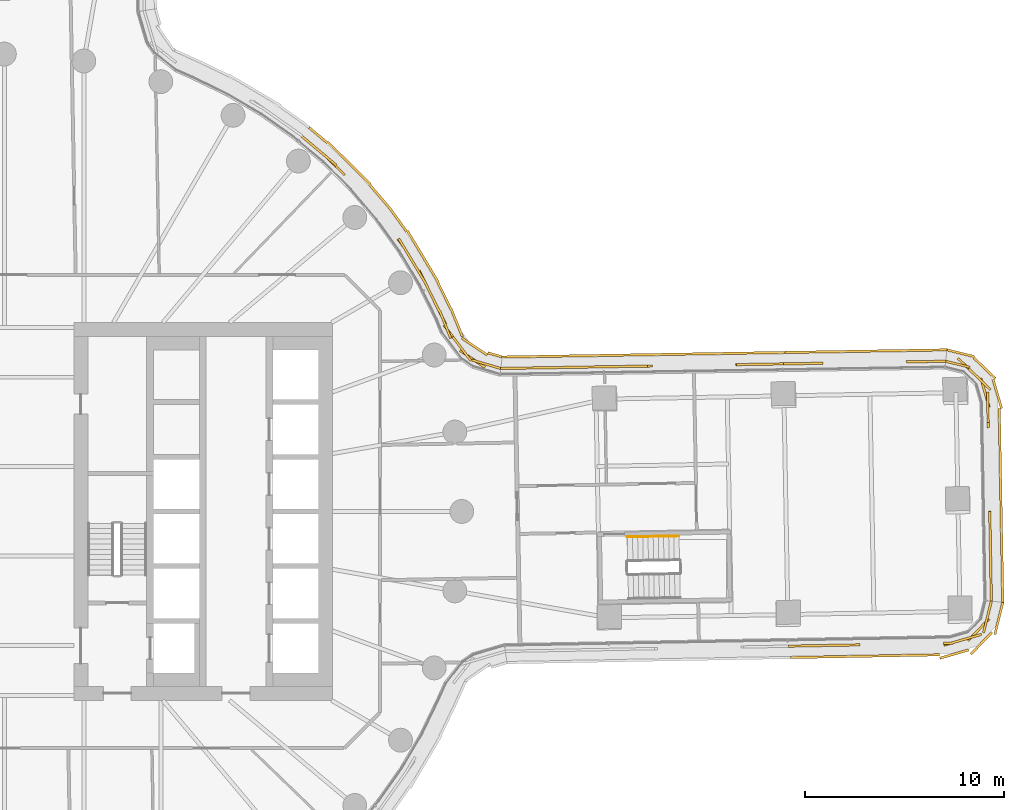
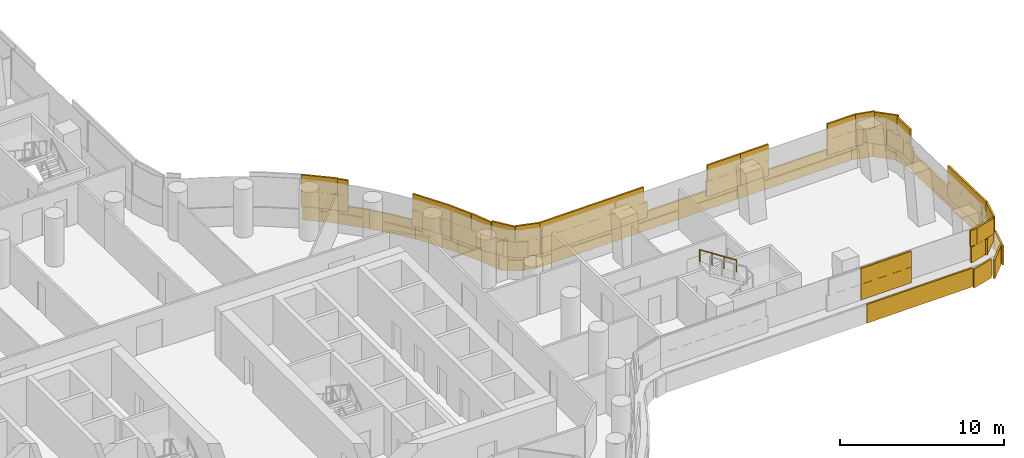
# One storey, part 29 of 31: 5 coverings, 1 railing.
"""IFC4 building model written with IfcOpenShell, lengths in metres."""

from ifc_helpers import new_model, si_unit, direction, frame, origin, origin_2d, place, context, subcontext, project, spatial, rectangle, circle, extrude, material, layer, layer_set, type_object, element, save


model = new_model("IFC4")

# Units and contexts
model_context = context("Model", 3, precision=1e-05, world=origin(), true_north=direction((0.0, 1.0)))
body_context = subcontext(model_context, "Body", "Model", "MODEL_VIEW")
ifc_project = project(units=[si_unit("LENGTHUNIT", "METRE"), si_unit("AREAUNIT", "SQUARE_METRE"), si_unit("VOLUMEUNIT", "CUBIC_METRE"), si_unit("PLANEANGLEUNIT", "RADIAN"), si_unit("MASSUNIT", "GRAM", prefix="KILO")], contexts=[model_context])

# Site, building, storey
site_placement = place(None, origin())
site = spatial("IfcSite", under=ifc_project, at=site_placement, CompositionType="ELEMENT")
building_placement = place(site_placement, origin())
building = spatial("IfcBuilding", under=site, at=building_placement, Name="Tamarind Cross Interchange Tower", CompositionType="ELEMENT")
storey_placement = place(building_placement, frame((0.0, 0.0, 37.75)))
storey = spatial("IfcBuildingStorey", under=building, at=storey_placement, Name="L07", CompositionType="ELEMENT", Elevation=37.75)

# Railing
ifc_material_1 = material(Name="Stair handrail")
railing_type = type_object("IfcRailingType", Name="Stair handrail", PredefinedType="HANDRAIL", material=ifc_material_1)
railing_placement = place(storey_placement, frame((33.924560546875, -1.232666015625, 2.04541015625)))
element("IfcRailing", 1, at=railing_placement, inside=storey, type_object=railing_type, Name="L07 ST3 stair handrail 2", PredefinedType="HANDRAIL", context=body_context, shape_type="SweptSolid", body=[
    extrude(circle(Radius=0.02392578125, at=origin_2d()), frame((0.0, 0.0, 0.8759765625), z_axis=(-0.836156945264, -0.015312791541, 0.548276464297), x_axis=(0.018310228116, -0.999832353721, 0.0)), (0.0, 0.0, 1.0), 3.10888671875),
    extrude(circle(Radius=0.02099609375, at=origin_2d()), origin(), (0.0, 0.0, 1.0), 0.851806640625),
    extrude(circle(Radius=0.02099609375, at=origin_2d()), frame((-0.866455078125, -0.015869140625, 0.568115234375)), (0.0, 0.0, 1.0), 0.851806640625),
    extrude(circle(Radius=0.02099609375, at=origin_2d()), frame((-1.733154296875, -0.03173828125, 1.136474609375)), (0.0, 0.0, 1.0), 0.851806640625),
    extrude(circle(Radius=0.02099609375, at=origin_2d()), frame((-2.599609375, -0.047607421875, 1.70458984375)), (0.0, 0.0, 1.0), 0.851806640625),
])

# Coverings
ifc_material_2 = material(Name="Terracotta", Category="masonry")
ifc_layer = layer(ifc_material_2, 0.1201171875)
ifc_layer_set = layer_set([ifc_layer], Name="Terracotta")
covering_type = type_object("IfcCoveringType", Name="Terracotta baguette screen unit", PredefinedType="MOLDING", material=ifc_layer_set)
covering_1_placement = place(storey_placement, origin())
element("IfcCovering", 2, at=covering_1_placement, inside=storey, type_object=covering_type, Name="SCR-L07-11-01", PredefinedType="MOLDING", context=body_context, shape_type="SweptSolid", body=[
    extrude(rectangle(XDim=1.506103515625, YDim=0.1201171875, at=origin_2d()), frame((40.186279296875, -6.759521484375, 1.404052734375), z_axis=(0.0, 0.0, 1.0), x_axis=(0.999833743347, 0.018234189439, 0.0)), (0.0, 0.0, 1.0), 1.1669921875),
    extrude(rectangle(XDim=1.52001953125, YDim=0.1201171875, at=origin_2d()), frame((41.68408203125, -6.732177734375, 1.404052734375), z_axis=(0.0, 0.0, 1.0), x_axis=(0.999833743347, 0.018234189439, 0.0)), (0.0, 0.0, 1.0), 1.1669921875),
    extrude(rectangle(XDim=0.603271484375, YDim=0.1201171875, at=origin_2d()), frame((42.73046875, -6.713134765625, 1.404052734375), z_axis=(0.0, 0.0, 1.0), x_axis=(0.999833743347, 0.018234189439, 0.0)), (0.0, 0.0, 1.0), 1.1669921875),
    extrude(rectangle(XDim=1.216796875, YDim=0.1201171875, at=origin_2d()), frame((47.8203125, -6.55810546875, 1.404052734375), z_axis=(0.0, 0.0, 1.0), x_axis=(0.961045879195, 0.276388889215, 0.0)), (0.0, 0.0, 1.0), 1.1669921875),
    extrude(rectangle(XDim=1.52001953125, YDim=0.1201171875, at=origin_2d()), frame((48.981689453125, -5.95263671875, 1.404052734375), z_axis=(0.0, 0.0, 1.0), x_axis=(0.694095700978, 0.719882738982, 0.0)), (0.0, 0.0, 1.0), 1.1669921875),
    extrude(rectangle(XDim=0.892578125, YDim=0.1201171875, at=origin_2d()), frame((49.523193359375, -4.93701171875, 1.404052734375), z_axis=(0.0, 0.0, 1.0), x_axis=(0.241163140214, 0.970484590193, 0.0)), (0.0, 0.0, 1.0), 1.1669921875),
    extrude(rectangle(XDim=0.756103515625, YDim=0.1201171875, at=origin_2d()), frame((39.811279296875, -6.766357421875, 2.5791015625), z_axis=(0.0, 0.0, 1.0), x_axis=(0.999833743347, 0.018234189439, 0.0)), (0.0, 0.0, 1.0), 1.1669921875),
    extrude(rectangle(XDim=1.52001953125, YDim=0.1201171875, at=origin_2d()), frame((40.93408203125, -6.745849609375, 2.5791015625), z_axis=(0.0, 0.0, 1.0), x_axis=(0.999833743347, 0.018234189439, 0.0)), (0.0, 0.0, 1.0), 1.1669921875),
    extrude(rectangle(XDim=1.353271484375, YDim=0.1201171875, at=origin_2d()), frame((42.355712890625, -6.719970703125, 2.5791015625), z_axis=(0.0, 0.0, 1.0), x_axis=(0.999833743347, 0.018234189439, 0.0)), (0.0, 0.0, 1.0), 1.1669921875),
    extrude(rectangle(XDim=0.466796875, YDim=0.1201171875, at=origin_2d()), frame((47.454833984375, -6.626953125, 2.5791015625), z_axis=(0.0, 0.0, 1.0), x_axis=(0.999833743347, 0.018234189439, 0.0)), (0.0, 0.0, 1.0), 1.1669921875),
    extrude(rectangle(XDim=1.52001953125, YDim=0.1201171875, at=origin_2d()), frame((48.400146484375, -6.391357421875, 2.5791015625), z_axis=(0.0, 0.0, 1.0), x_axis=(0.961045879195, 0.276388889215, 0.0)), (0.0, 0.0, 1.0), 1.1669921875),
    extrude(rectangle(XDim=1.52001953125, YDim=0.1201171875, at=origin_2d()), frame((49.416748046875, -5.365478515625, 2.5791015625), z_axis=(0.0, 0.0, 1.0), x_axis=(0.241163140214, 0.970484590193, 0.0)), (0.0, 0.0, 1.0), 1.1669921875),
    extrude(rectangle(XDim=0.142578125, YDim=0.1201171875, at=origin_2d()), frame((49.61376953125, -4.5732421875, 2.5791015625), z_axis=(0.0, 0.0, 1.0), x_axis=(0.241163140214, 0.970484590193, 0.0)), (0.0, 0.0, 1.0), 1.1669921875),
    extrude(rectangle(XDim=1.50732421875, YDim=0.1201171875, at=origin_2d()), frame((40.278564453125, -7.33203125, 0.00390625), z_axis=(0.0, 0.0, 1.0), x_axis=(0.999833743347, 0.018234189439, 0.0)), (0.0, 0.0, 1.0), 1.39208984375),
    extrude(rectangle(XDim=1.52001953125, YDim=0.1201171875, at=origin_2d()), frame((41.77197265625, -7.3046875, 0.00390625), z_axis=(0.0, 0.0, 1.0), x_axis=(0.999833743347, 0.018234189439, 0.0)), (0.0, 0.0, 1.0), 1.39208984375),
    extrude(rectangle(XDim=1.52001953125, YDim=0.1201171875, at=origin_2d()), frame((43.271728515625, -7.27734375, 0.00390625), z_axis=(0.0, 0.0, 1.0), x_axis=(0.999833743347, 0.018234189439, 0.0)), (0.0, 0.0, 1.0), 1.39208984375),
    extrude(rectangle(XDim=1.52001953125, YDim=0.1201171875, at=origin_2d()), frame((44.771484375, -7.25, 0.00390625), z_axis=(0.0, 0.0, 1.0), x_axis=(0.999833743347, 0.018234189439, 0.0)), (0.0, 0.0, 1.0), 1.39208984375),
    extrude(rectangle(XDim=1.52001953125, YDim=0.1201171875, at=origin_2d()), frame((46.271240234375, -7.22265625, 0.00390625), z_axis=(0.0, 0.0, 1.0), x_axis=(0.999833743347, 0.018234189439, 0.0)), (0.0, 0.0, 1.0), 1.39208984375),
    extrude(rectangle(XDim=1.52001953125, YDim=0.1201171875, at=origin_2d()), frame((47.767333984375, -7.170654296875, 0.00390625), z_axis=(0.0, 0.0, 1.0), x_axis=(0.961045879195, 0.276388889215, 0.0)), (0.0, 0.0, 1.0), 1.39208984375),
    extrude(rectangle(XDim=1.52001953125, YDim=0.1201171875, at=origin_2d()), frame((49.130126953125, -6.62548828125, 0.00390625), z_axis=(0.0, 0.0, 1.0), x_axis=(0.694095700978, 0.719882738982, 0.0)), (0.0, 0.0, 1.0), 1.39208984375),
    extrude(rectangle(XDim=1.52001953125, YDim=0.1201171875, at=origin_2d()), frame((49.988525390625, -5.444580078125, 0.00390625), z_axis=(0.0, 0.0, 1.0), x_axis=(0.241163140214, 0.970484590193, 0.0)), (0.0, 0.0, 1.0), 1.39208984375),
    extrude(rectangle(XDim=0.1572265625, YDim=0.1201171875, at=origin_2d()), frame((50.18603515625, -4.650146484375, 0.00390625), z_axis=(0.0, 0.0, 1.0), x_axis=(0.241163140214, 0.970484590193, 0.0)), (0.0, 0.0, 1.0), 1.39208984375),
])
covering_2_placement = place(storey_placement, origin())
element("IfcCovering", 3, at=covering_2_placement, inside=storey, type_object=covering_type, Name="SCR-L07-12-00", PredefinedType="MOLDING", context=body_context, shape_type="SweptSolid", body=[
    extrude(rectangle(XDim=0.760009765625, YDim=0.1201171875, at=origin_2d()), frame((49.622802734375, -4.1337890625, 1.404052734375), z_axis=(0.0, 0.0, 1.0), x_axis=(-0.018234189439, 0.999833743347, 0.0)), (0.0, 0.0, 1.0), 1.1669921875),
    extrude(rectangle(XDim=1.52001953125, YDim=0.1201171875, at=origin_2d()), frame((49.602294921875, -3.009033203125, 1.404052734375), z_axis=(0.0, 0.0, 1.0), x_axis=(-0.018234189439, 0.999833743347, 0.0)), (0.0, 0.0, 1.0), 1.1669921875),
    extrude(rectangle(XDim=1.52001953125, YDim=0.1201171875, at=origin_2d()), frame((49.574951171875, -1.50927734375, 1.404052734375), z_axis=(0.0, 0.0, 1.0), x_axis=(-0.018234189439, 0.999833743347, 0.0)), (0.0, 0.0, 1.0), 1.1669921875),
    extrude(rectangle(XDim=0.784912109375, YDim=0.1201171875, at=origin_2d()), frame((49.55419921875, -0.3720703125, 1.404052734375), z_axis=(0.0, 0.0, 1.0), x_axis=(-0.018234189439, 0.999833743347, 0.0)), (0.0, 0.0, 1.0), 1.1669921875),
    extrude(rectangle(XDim=1.03515625, YDim=0.1201171875, at=origin_2d()), frame((49.461181640625, 4.72705078125, 1.404052734375), z_axis=(0.0, 0.0, 1.0), x_axis=(-0.018234189439, 0.999833743347, 0.0)), (0.0, 0.0, 1.0), 1.1669921875),
    extrude(rectangle(XDim=1.52001953125, YDim=0.1201171875, at=origin_2d()), frame((49.315185546875, 5.970947265625, 1.404052734375), z_axis=(0.0, 0.0, 1.0), x_axis=(-0.276388889215, 0.961045879195, 0.0)), (0.0, 0.0, 1.0), 1.1669921875),
    extrude(rectangle(XDim=1.52001953125, YDim=0.1201171875, at=origin_2d()), frame((48.499267578125, 7.1708984375, 1.404052734375), z_axis=(0.0, 0.0, 1.0), x_axis=(-0.719882738982, 0.694095700978, 0.0)), (0.0, 0.0, 1.0), 1.1669921875),
    extrude(rectangle(XDim=0.509521484375, YDim=0.1201171875, at=origin_2d()), frame((47.57373046875, 7.492919921875, 1.404052734375), z_axis=(0.0, 0.0, 1.0), x_axis=(-0.970484590193, 0.241163140214, 0.0)), (0.0, 0.0, 1.0), 1.1669921875),
    extrude(rectangle(XDim=1.510009765625, YDim=0.1201171875, at=origin_2d()), frame((49.615966796875, -3.759033203125, 2.5791015625), z_axis=(0.0, 0.0, 1.0), x_axis=(-0.018234189439, 0.999833743347, 0.0)), (0.0, 0.0, 1.0), 1.1669921875),
    extrude(rectangle(XDim=1.52001953125, YDim=0.1201171875, at=origin_2d()), frame((49.588623046875, -2.25927734375, 2.5791015625), z_axis=(0.0, 0.0, 1.0), x_axis=(-0.018234189439, 0.999833743347, 0.0)), (0.0, 0.0, 1.0), 1.1669921875),
    extrude(rectangle(XDim=1.52001953125, YDim=0.1201171875, at=origin_2d()), frame((49.561279296875, -0.759521484375, 2.5791015625), z_axis=(0.0, 0.0, 1.0), x_axis=(-0.018234189439, 0.999833743347, 0.0)), (0.0, 0.0, 1.0), 1.1669921875),
    extrude(rectangle(XDim=1.52001953125, YDim=0.1201171875, at=origin_2d()), frame((49.451904296875, 5.239501953125, 2.5791015625), z_axis=(0.0, 0.0, 1.0), x_axis=(-0.018234189439, 0.999833743347, 0.0)), (0.0, 0.0, 1.0), 1.1669921875),
    extrude(rectangle(XDim=1.52001953125, YDim=0.1201171875, at=origin_2d()), frame((49.0390625, 6.650390625, 2.5791015625), z_axis=(0.0, 0.0, 1.0), x_axis=(-0.719882738982, 0.694095700978, 0.0)), (0.0, 0.0, 1.0), 1.1669921875),
    extrude(rectangle(XDim=1.259521484375, YDim=0.1201171875, at=origin_2d()), frame((47.937744140625, 7.40234375, 2.5791015625), z_axis=(0.0, 0.0, 1.0), x_axis=(-0.970484590193, 0.241163140214, 0.0)), (0.0, 0.0, 1.0), 1.1669921875),
    extrude(rectangle(XDim=0.760009765625, YDim=0.1201171875, at=origin_2d()), frame((50.197998046875, -4.19384765625, 0.00390625), z_axis=(0.0, 0.0, 1.0), x_axis=(-0.018234189439, 0.999833743347, 0.0)), (0.0, 0.0, 1.0), 1.39208984375),
    extrude(rectangle(XDim=1.52001953125, YDim=0.1201171875, at=origin_2d()), frame((50.177490234375, -3.07421875, 0.00390625), z_axis=(0.0, 0.0, 1.0), x_axis=(-0.018234189439, 0.999833743347, 0.0)), (0.0, 0.0, 1.0), 1.39208984375),
    extrude(rectangle(XDim=1.52001953125, YDim=0.1201171875, at=origin_2d()), frame((50.150146484375, -1.574462890625, 0.00390625), z_axis=(0.0, 0.0, 1.0), x_axis=(-0.018234189439, 0.999833743347, 0.0)), (0.0, 0.0, 1.0), 1.39208984375),
    extrude(rectangle(XDim=1.52001953125, YDim=0.1201171875, at=origin_2d()), frame((50.122802734375, -0.07470703125, 0.00390625), z_axis=(0.0, 0.0, 1.0), x_axis=(-0.018234189439, 0.999833743347, 0.0)), (0.0, 0.0, 1.0), 1.39208984375),
    extrude(rectangle(XDim=1.52001953125, YDim=0.1201171875, at=origin_2d()), frame((50.095458984375, 1.425048828125, 0.00390625), z_axis=(0.0, 0.0, 1.0), x_axis=(-0.018234189439, 0.999833743347, 0.0)), (0.0, 0.0, 1.0), 1.39208984375),
    extrude(rectangle(XDim=1.52001953125, YDim=0.1201171875, at=origin_2d()), frame((50.068115234375, 2.9248046875, 0.00390625), z_axis=(0.0, 0.0, 1.0), x_axis=(-0.018234189439, 0.999833743347, 0.0)), (0.0, 0.0, 1.0), 1.39208984375),
    extrude(rectangle(XDim=1.52001953125, YDim=0.1201171875, at=origin_2d()), frame((50.040771484375, 4.424560546875, 0.00390625), z_axis=(0.0, 0.0, 1.0), x_axis=(-0.018234189439, 0.999833743347, 0.0)), (0.0, 0.0, 1.0), 1.39208984375),
    extrude(rectangle(XDim=1.52001953125, YDim=0.1201171875, at=origin_2d()), frame((49.929443359375, 5.911865234375, 0.00390625), z_axis=(0.0, 0.0, 1.0), x_axis=(-0.276388889215, 0.961045879195, 0.0)), (0.0, 0.0, 1.0), 1.39208984375),
    extrude(rectangle(XDim=1.52001953125, YDim=0.1201171875, at=origin_2d()), frame((49.2822265625, 7.21337890625, 0.00390625), z_axis=(0.0, 0.0, 1.0), x_axis=(-0.719882738982, 0.694095700978, 0.0)), (0.0, 0.0, 1.0), 1.39208984375),
    extrude(rectangle(XDim=1.426513671875, YDim=0.1201171875, at=origin_2d()), frame((48.089111328125, 7.956298828125, 0.00390625), z_axis=(0.0, 0.0, 1.0), x_axis=(-0.970484590193, 0.241163140214, 0.0)), (0.0, 0.0, 1.0), 1.39208984375),
])
covering_3_placement = place(storey_placement, origin())
element("IfcCovering", 4, at=covering_3_placement, inside=storey, type_object=covering_type, Name="SCR-L07-13-00", PredefinedType="MOLDING", context=body_context, shape_type="SweptSolid", body=[
    extrude(rectangle(XDim=0.760009765625, YDim=0.1201171875, at=origin_2d()), frame((46.956298828125, 7.547119140625, 1.404052734375), z_axis=(0.0, 0.0, 1.0), x_axis=(-0.999868866543, -0.016194126045, 0.0)), (0.0, 0.0, 1.0), 1.1669921875),
    extrude(rectangle(XDim=1.236083984375, YDim=0.1201171875, at=origin_2d()), frame((45.968505859375, 7.531005859375, 1.404052734375), z_axis=(0.0, 0.0, 1.0), x_axis=(-0.999868866543, -0.016194126045, 0.0)), (0.0, 0.0, 1.0), 1.1669921875),
    extrude(rectangle(XDim=0.583984375, YDim=0.1201171875, at=origin_2d()), frame((40.869140625, 7.448486328125, 1.404052734375), z_axis=(0.0, 0.0, 1.0), x_axis=(-0.999868866543, -0.016194126045, 0.0)), (0.0, 0.0, 1.0), 1.1669921875),
    extrude(rectangle(XDim=1.412109375, YDim=0.1201171875, at=origin_2d()), frame((39.881103515625, 7.432373046875, 1.404052734375), z_axis=(0.0, 0.0, 1.0), x_axis=(-0.999868866543, -0.016194126045, 0.0)), (0.0, 0.0, 1.0), 1.1669921875),
    extrude(rectangle(XDim=1.510009765625, YDim=0.1201171875, at=origin_2d()), frame((46.581298828125, 7.541015625, 2.5791015625), z_axis=(0.0, 0.0, 1.0), x_axis=(-0.999868866543, -0.016194126045, 0.0)), (0.0, 0.0, 1.0), 1.1669921875),
    extrude(rectangle(XDim=0.486083984375, YDim=0.1201171875, at=origin_2d()), frame((45.593505859375, 7.52490234375, 2.5791015625), z_axis=(0.0, 0.0, 1.0), x_axis=(-0.999868866543, -0.016194126045, 0.0)), (0.0, 0.0, 1.0), 1.1669921875),
    extrude(rectangle(XDim=1.333984375, YDim=0.1201171875, at=origin_2d()), frame((40.494140625, 7.4423828125, 2.5791015625), z_axis=(0.0, 0.0, 1.0), x_axis=(-0.999868866543, -0.016194126045, 0.0)), (0.0, 0.0, 1.0), 1.1669921875),
    extrude(rectangle(XDim=0.662109375, YDim=0.1201171875, at=origin_2d()), frame((39.50634765625, 7.42626953125, 2.5791015625), z_axis=(0.0, 0.0, 1.0), x_axis=(-0.999868866543, -0.016194126045, 0.0)), (0.0, 0.0, 1.0), 1.1669921875),
    extrude(rectangle(XDim=0.760009765625, YDim=0.1201171875, at=origin_2d()), frame((47.01708984375, 8.1220703125, 0.00390625), z_axis=(0.0, 0.0, 1.0), x_axis=(-0.999868866543, -0.016194126045, 0.0)), (0.0, 0.0, 1.0), 1.39208984375),
    extrude(rectangle(XDim=1.52001953125, YDim=0.1201171875, at=origin_2d()), frame((45.897216796875, 8.10400390625, 0.00390625), z_axis=(0.0, 0.0, 1.0), x_axis=(-0.999868866543, -0.016194126045, 0.0)), (0.0, 0.0, 1.0), 1.39208984375),
    extrude(rectangle(XDim=1.52001953125, YDim=0.1201171875, at=origin_2d()), frame((44.3974609375, 8.07958984375, 0.00390625), z_axis=(0.0, 0.0, 1.0), x_axis=(-0.999868866543, -0.016194126045, 0.0)), (0.0, 0.0, 1.0), 1.39208984375),
    extrude(rectangle(XDim=1.52001953125, YDim=0.1201171875, at=origin_2d()), frame((42.8974609375, 8.055419921875, 0.00390625), z_axis=(0.0, 0.0, 1.0), x_axis=(-0.999868866543, -0.016194126045, 0.0)), (0.0, 0.0, 1.0), 1.39208984375),
    extrude(rectangle(XDim=1.52001953125, YDim=0.1201171875, at=origin_2d()), frame((41.397705078125, 8.031005859375, 0.00390625), z_axis=(0.0, 0.0, 1.0), x_axis=(-0.999868866543, -0.016194126045, 0.0)), (0.0, 0.0, 1.0), 1.39208984375),
    extrude(rectangle(XDim=1.407470703125, YDim=0.1201171875, at=origin_2d()), frame((39.9541015625, 8.0078125, 0.00390625), z_axis=(0.0, 0.0, 1.0), x_axis=(-0.999868866543, -0.016194126045, 0.0)), (0.0, 0.0, 1.0), 1.39208984375),
])
covering_4_placement = place(storey_placement, origin())
element("IfcCovering", 5, at=covering_4_placement, inside=storey, type_object=covering_type, Name="SCR-L07-13-01", PredefinedType="MOLDING", context=body_context, shape_type="SweptSolid", body=[
    extrude(rectangle(XDim=0.10791015625, YDim=0.1201171875, at=origin_2d()), frame((39.13134765625, 7.42041015625, 1.404052734375), z_axis=(0.0, 0.0, 1.0), x_axis=(-0.999868866543, -0.016194126045, 0.0)), (0.0, 0.0, 1.0), 1.1669921875),
    extrude(rectangle(XDim=1.52001953125, YDim=0.1201171875, at=origin_2d()), frame((38.33251953125, 7.407470703125, 1.404052734375), z_axis=(0.0, 0.0, 1.0), x_axis=(-0.999868866543, -0.016194126045, 0.0)), (0.0, 0.0, 1.0), 1.1669921875),
    extrude(rectangle(XDim=0.811767578125, YDim=0.1201171875, at=origin_2d()), frame((37.181640625, 7.388671875, 1.404052734375), z_axis=(0.0, 0.0, 1.0), x_axis=(-0.999868866543, -0.016194126045, 0.0)), (0.0, 0.0, 1.0), 1.1669921875),
    extrude(rectangle(XDim=1.00830078125, YDim=0.1201171875, at=origin_2d()), frame((32.08251953125, 7.30615234375, 1.404052734375), z_axis=(0.0, 0.0, 1.0), x_axis=(-0.999868866543, -0.016194126045, 0.0)), (0.0, 0.0, 1.0), 1.1669921875),
    extrude(rectangle(XDim=1.52001953125, YDim=0.1201171875, at=origin_2d()), frame((30.83349609375, 7.285888671875, 1.404052734375), z_axis=(0.0, 0.0, 1.0), x_axis=(-0.999868866543, -0.016194126045, 0.0)), (0.0, 0.0, 1.0), 1.1669921875),
    extrude(rectangle(XDim=1.52001953125, YDim=0.1201171875, at=origin_2d()), frame((29.333740234375, 7.26171875, 1.404052734375), z_axis=(0.0, 0.0, 1.0), x_axis=(-0.999868866543, -0.016194126045, 0.0)), (0.0, 0.0, 1.0), 1.1669921875),
    extrude(rectangle(XDim=1.52001953125, YDim=0.1201171875, at=origin_2d()), frame((27.833740234375, 7.2373046875, 1.404052734375), z_axis=(0.0, 0.0, 1.0), x_axis=(-0.999868866543, -0.016194126045, 0.0)), (0.0, 0.0, 1.0), 1.1669921875),
    extrude(rectangle(XDim=1.52001953125, YDim=0.1201171875, at=origin_2d()), frame((26.333984375, 7.213134765625, 1.404052734375), z_axis=(0.0, 0.0, 1.0), x_axis=(-0.999868866543, -0.016194126045, 0.0)), (0.0, 0.0, 1.0), 1.1669921875),
    extrude(rectangle(XDim=0.63720703125, YDim=0.1201171875, at=origin_2d()), frame((25.2705078125, 7.19580078125, 1.404052734375), z_axis=(0.0, 0.0, 1.0), x_axis=(-0.999868866543, -0.016194126045, 0.0)), (0.0, 0.0, 1.0), 1.1669921875),
    extrude(rectangle(XDim=0.85791015625, YDim=0.1201171875, at=origin_2d()), frame((38.75634765625, 7.414306640625, 2.5791015625), z_axis=(0.0, 0.0, 1.0), x_axis=(-0.999868866543, -0.016194126045, 0.0)), (0.0, 0.0, 1.0), 1.1669921875),
    extrude(rectangle(XDim=1.52001953125, YDim=0.1201171875, at=origin_2d()), frame((37.58251953125, 7.395263671875, 2.5791015625), z_axis=(0.0, 0.0, 1.0), x_axis=(-0.999868866543, -0.016194126045, 0.0)), (0.0, 0.0, 1.0), 1.1669921875),
    extrude(rectangle(XDim=1.52001953125, YDim=0.1201171875, at=origin_2d()), frame((31.583251953125, 7.298095703125, 2.5791015625), z_axis=(0.0, 0.0, 1.0), x_axis=(-0.999868866543, -0.016194126045, 0.0)), (0.0, 0.0, 1.0), 1.1669921875),
    extrude(rectangle(XDim=1.52001953125, YDim=0.1201171875, at=origin_2d()), frame((30.08349609375, 7.273681640625, 2.5791015625), z_axis=(0.0, 0.0, 1.0), x_axis=(-0.999868866543, -0.016194126045, 0.0)), (0.0, 0.0, 1.0), 1.1669921875),
    extrude(rectangle(XDim=1.52001953125, YDim=0.1201171875, at=origin_2d()), frame((28.583740234375, 7.24951171875, 2.5791015625), z_axis=(0.0, 0.0, 1.0), x_axis=(-0.999868866543, -0.016194126045, 0.0)), (0.0, 0.0, 1.0), 1.1669921875),
    extrude(rectangle(XDim=1.52001953125, YDim=0.1201171875, at=origin_2d()), frame((27.083984375, 7.22509765625, 2.5791015625), z_axis=(0.0, 0.0, 1.0), x_axis=(-0.999868866543, -0.016194126045, 0.0)), (0.0, 0.0, 1.0), 1.1669921875),
    extrude(rectangle(XDim=1.38720703125, YDim=0.1201171875, at=origin_2d()), frame((25.6455078125, 7.201904296875, 2.5791015625), z_axis=(0.0, 0.0, 1.0), x_axis=(-0.999868866543, -0.016194126045, 0.0)), (0.0, 0.0, 1.0), 1.1669921875),
    extrude(rectangle(XDim=0.112548828125, YDim=0.1201171875, at=origin_2d()), frame((39.1943359375, 7.995361328125, 0.00390625), z_axis=(0.0, 0.0, 1.0), x_axis=(-0.999868866543, -0.016194126045, 0.0)), (0.0, 0.0, 1.0), 1.39208984375),
    extrude(rectangle(XDim=1.52001953125, YDim=0.1201171875, at=origin_2d()), frame((38.398193359375, 7.982421875, 0.00390625), z_axis=(0.0, 0.0, 1.0), x_axis=(-0.999868866543, -0.016194126045, 0.0)), (0.0, 0.0, 1.0), 1.39208984375),
    extrude(rectangle(XDim=1.52001953125, YDim=0.1201171875, at=origin_2d()), frame((36.8984375, 7.958251953125, 0.00390625), z_axis=(0.0, 0.0, 1.0), x_axis=(-0.999868866543, -0.016194126045, 0.0)), (0.0, 0.0, 1.0), 1.39208984375),
    extrude(rectangle(XDim=1.52001953125, YDim=0.1201171875, at=origin_2d()), frame((35.3984375, 7.933837890625, 0.00390625), z_axis=(0.0, 0.0, 1.0), x_axis=(-0.999868866543, -0.016194126045, 0.0)), (0.0, 0.0, 1.0), 1.39208984375),
    extrude(rectangle(XDim=1.52001953125, YDim=0.1201171875, at=origin_2d()), frame((33.898681640625, 7.90966796875, 0.00390625), z_axis=(0.0, 0.0, 1.0), x_axis=(-0.999868866543, -0.016194126045, 0.0)), (0.0, 0.0, 1.0), 1.39208984375),
    extrude(rectangle(XDim=1.52001953125, YDim=0.1201171875, at=origin_2d()), frame((32.39892578125, 7.88525390625, 0.00390625), z_axis=(0.0, 0.0, 1.0), x_axis=(-0.999868866543, -0.016194126045, 0.0)), (0.0, 0.0, 1.0), 1.39208984375),
    extrude(rectangle(XDim=1.52001953125, YDim=0.1201171875, at=origin_2d()), frame((30.899169921875, 7.861083984375, 0.00390625), z_axis=(0.0, 0.0, 1.0), x_axis=(-0.999868866543, -0.016194126045, 0.0)), (0.0, 0.0, 1.0), 1.39208984375),
    extrude(rectangle(XDim=1.52001953125, YDim=0.1201171875, at=origin_2d()), frame((29.3994140625, 7.836669921875, 0.00390625), z_axis=(0.0, 0.0, 1.0), x_axis=(-0.999868866543, -0.016194126045, 0.0)), (0.0, 0.0, 1.0), 1.39208984375),
    extrude(rectangle(XDim=1.52001953125, YDim=0.1201171875, at=origin_2d()), frame((27.8994140625, 7.8125, 0.00390625), z_axis=(0.0, 0.0, 1.0), x_axis=(-0.999868866543, -0.016194126045, 0.0)), (0.0, 0.0, 1.0), 1.39208984375),
    extrude(rectangle(XDim=1.52001953125, YDim=0.1201171875, at=origin_2d()), frame((26.399658203125, 7.7880859375, 0.00390625), z_axis=(0.0, 0.0, 1.0), x_axis=(-0.999868866543, -0.016194126045, 0.0)), (0.0, 0.0, 1.0), 1.39208984375),
    extrude(rectangle(XDim=0.624755859375, YDim=0.1201171875, at=origin_2d()), frame((25.347412109375, 7.771240234375, 0.00390625), z_axis=(0.0, 0.0, 1.0), x_axis=(-0.999868866543, -0.016194126045, 0.0)), (0.0, 0.0, 1.0), 1.39208984375),
])
covering_5_placement = place(storey_placement, origin())
element("IfcCovering", 6, at=covering_5_placement, inside=storey, type_object=covering_type, Name="SCR-L07-14-00", PredefinedType="MOLDING", context=body_context, shape_type="SweptSolid", body=[
    extrude(rectangle(XDim=0.760009765625, YDim=0.1201171875, at=origin_2d()), frame((24.597412109375, 7.296630859375, 1.404052734375), z_axis=(0.0, 0.0, 1.0), x_axis=(-0.959375782306, 0.28213136714, 0.0)), (0.0, 0.0, 1.0), 1.1669921875),
    extrude(rectangle(XDim=1.52001953125, YDim=0.1201171875, at=origin_2d()), frame((23.54248046875, 7.665771484375, 1.404052734375), z_axis=(0.0, 0.0, 1.0), x_axis=(-0.830793097988, 0.556581376202, 0.0)), (0.0, 0.0, 1.0), 1.1669921875),
    extrude(rectangle(XDim=1.52001953125, YDim=0.1201171875, at=origin_2d()), frame((22.55322265625, 8.773193359375, 1.404052734375), z_axis=(0.0, 0.0, 1.0), x_axis=(-0.603897799222, 0.797061759273, 0.0)), (0.0, 0.0, 1.0), 1.1669921875),
    extrude(rectangle(XDim=1.52001953125, YDim=0.1201171875, at=origin_2d()), frame((21.85693359375, 10.0908203125, 1.404052734375), z_axis=(0.0, 0.0, 1.0), x_axis=(-0.443058811505, 0.896492548518, 0.0)), (0.0, 0.0, 1.0), 1.1669921875),
    extrude(rectangle(XDim=1.52001953125, YDim=0.1201171875, at=origin_2d()), frame((21.1923828125, 11.435546875, 1.404052734375), z_axis=(0.0, 0.0, 1.0), x_axis=(-0.443058811505, 0.896492548518, 0.0)), (0.0, 0.0, 1.0), 1.1669921875),
    extrude(rectangle(XDim=1.52001953125, YDim=0.1201171875, at=origin_2d()), frame((20.4287109375, 12.72607421875, 1.404052734375), z_axis=(0.0, 0.0, 1.0), x_axis=(-0.515577308909, 0.856843065292, 0.0)), (0.0, 0.0, 1.0), 1.1669921875),
    extrude(rectangle(XDim=0.414794921875, YDim=0.1201171875, at=origin_2d()), frame((19.9150390625, 13.527099609375, 1.404052734375), z_axis=(0.0, 0.0, 1.0), x_axis=(-0.584573890505, 0.811340475102, 0.0)), (0.0, 0.0, 1.0), 1.1669921875),
    extrude(rectangle(XDim=1.4052734375, YDim=0.1201171875, at=origin_2d()), frame((16.62255859375, 17.407958984375, 1.404052734375), z_axis=(0.0, 0.0, 1.0), x_axis=(-0.710143317658, 0.704057148523, 0.0)), (0.0, 0.0, 1.0), 1.1669921875),
    extrude(rectangle(XDim=1.52001953125, YDim=0.1201171875, at=origin_2d()), frame((15.544189453125, 18.3720703125, 1.404052734375), z_axis=(0.0, 0.0, 1.0), x_axis=(-0.765858396687, 0.643009266048, 0.0)), (0.0, 0.0, 1.0), 1.1669921875),
    extrude(rectangle(XDim=1.510009765625, YDim=0.1201171875, at=origin_2d()), frame((24.237548828125, 7.40234375, 2.5791015625), z_axis=(0.0, 0.0, 1.0), x_axis=(-0.959375782306, 0.28213136714, 0.0)), (0.0, 0.0, 1.0), 1.1669921875),
    extrude(rectangle(XDim=1.52001953125, YDim=0.1201171875, at=origin_2d()), frame((23.006103515625, 8.17529296875, 2.5791015625), z_axis=(0.0, 0.0, 1.0), x_axis=(-0.603897799222, 0.797061759273, 0.0)), (0.0, 0.0, 1.0), 1.1669921875),
    extrude(rectangle(XDim=1.52001953125, YDim=0.1201171875, at=origin_2d()), frame((22.16259765625, 9.406494140625, 2.5791015625), z_axis=(0.0, 0.0, 1.0), x_axis=(-0.375270335915, 0.926915408752, 0.0)), (0.0, 0.0, 1.0), 1.1669921875),
    extrude(rectangle(XDim=1.52001953125, YDim=0.1201171875, at=origin_2d()), frame((21.524658203125, 10.76318359375, 2.5791015625), z_axis=(0.0, 0.0, 1.0), x_axis=(-0.443058811505, 0.896492548518, 0.0)), (0.0, 0.0, 1.0), 1.1669921875),
    extrude(rectangle(XDim=1.52001953125, YDim=0.1201171875, at=origin_2d()), frame((20.8154296875, 12.083251953125, 2.5791015625), z_axis=(0.0, 0.0, 1.0), x_axis=(-0.515577308909, 0.856843065292, 0.0)), (0.0, 0.0, 1.0), 1.1669921875),
    extrude(rectangle(XDim=1.164794921875, YDim=0.1201171875, at=origin_2d()), frame((20.131103515625, 13.220703125, 2.5791015625), z_axis=(0.0, 0.0, 1.0), x_axis=(-0.515577308909, 0.856843065292, 0.0)), (0.0, 0.0, 1.0), 1.1669921875),
    extrude(rectangle(XDim=0.6552734375, YDim=0.1201171875, at=origin_2d()), frame((16.888916015625, 17.14404296875, 2.5791015625), z_axis=(0.0, 0.0, 1.0), x_axis=(-0.710143317658, 0.704057148523, 0.0)), (0.0, 0.0, 1.0), 1.1669921875),
    extrude(rectangle(XDim=1.52001953125, YDim=0.1201171875, at=origin_2d()), frame((16.11865234375, 17.889892578125, 2.5791015625), z_axis=(0.0, 0.0, 1.0), x_axis=(-0.765858396687, 0.643009266048, 0.0)), (0.0, 0.0, 1.0), 1.1669921875),
    extrude(rectangle(XDim=0.766357421875, YDim=0.1201171875, at=origin_2d()), frame((15.254638671875, 18.615234375, 2.5791015625), z_axis=(0.0, 0.0, 1.0), x_axis=(-0.765858396687, 0.643009266048, 0.0)), (0.0, 0.0, 1.0), 1.1669921875),
    extrude(rectangle(XDim=0.760009765625, YDim=0.1201171875, at=origin_2d()), frame((24.670654296875, 7.873291015625, 0.00390625), z_axis=(0.0, 0.0, 1.0), x_axis=(-0.959375782306, 0.28213136714, 0.0)), (0.0, 0.0, 1.0), 1.39208984375),
    extrude(rectangle(XDim=1.52001953125, YDim=0.1201171875, at=origin_2d()), frame((23.64306640625, 8.289306640625, 0.00390625), z_axis=(0.0, 0.0, 1.0), x_axis=(-0.830793097988, 0.556581376202, 0.0)), (0.0, 0.0, 1.0), 1.39208984375),
    extrude(rectangle(XDim=1.52001953125, YDim=0.1201171875, at=origin_2d()), frame((22.748046875, 9.490234375, 0.00390625), z_axis=(0.0, 0.0, 1.0), x_axis=(-0.375270335915, 0.926915408752, 0.0)), (0.0, 0.0, 1.0), 1.39208984375),
    extrude(rectangle(XDim=1.52001953125, YDim=0.1201171875, at=origin_2d()), frame((22.12109375, 10.851806640625, 0.00390625), z_axis=(0.0, 0.0, 1.0), x_axis=(-0.443058811505, 0.896492548518, 0.0)), (0.0, 0.0, 1.0), 1.39208984375),
    extrude(rectangle(XDim=1.52001953125, YDim=0.1201171875, at=origin_2d()), frame((21.427001953125, 12.180419921875, 0.00390625), z_axis=(0.0, 0.0, 1.0), x_axis=(-0.515577308909, 0.856843065292, 0.0)), (0.0, 0.0, 1.0), 1.39208984375),
    extrude(rectangle(XDim=1.52001953125, YDim=0.1201171875, at=origin_2d()), frame((20.653564453125, 13.465576171875, 0.00390625), z_axis=(0.0, 0.0, 1.0), x_axis=(-0.515577308909, 0.856843065292, 0.0)), (0.0, 0.0, 1.0), 1.39208984375),
    extrude(rectangle(XDim=1.52001953125, YDim=0.1201171875, at=origin_2d()), frame((19.78564453125, 14.688720703125, 0.00390625), z_axis=(0.0, 0.0, 1.0), x_axis=(-0.584573890505, 0.811340475102, 0.0)), (0.0, 0.0, 1.0), 1.39208984375),
    extrude(rectangle(XDim=1.52001953125, YDim=0.1201171875, at=origin_2d()), frame((18.854736328125, 15.863037109375, 0.00390625), z_axis=(0.0, 0.0, 1.0), x_axis=(-0.64957723968, 0.760295606781, 0.0)), (0.0, 0.0, 1.0), 1.39208984375),
    extrude(rectangle(XDim=1.52001953125, YDim=0.1201171875, at=origin_2d()), frame((17.862548828125, 16.987060546875, 0.00390625), z_axis=(0.0, 0.0, 1.0), x_axis=(-0.710143317658, 0.704057148523, 0.0)), (0.0, 0.0, 1.0), 1.39208984375),
    extrude(rectangle(XDim=1.52001953125, YDim=0.1201171875, at=origin_2d()), frame((16.79736328125, 18.043212890625, 0.00390625), z_axis=(0.0, 0.0, 1.0), x_axis=(-0.710143317658, 0.704057148523, 0.0)), (0.0, 0.0, 1.0), 1.39208984375),
    extrude(rectangle(XDim=1.204345703125, YDim=0.1201171875, at=origin_2d()), frame((15.782958984375, 18.921142578125, 0.00390625), z_axis=(0.0, 0.0, 1.0), x_axis=(-0.765858396687, 0.643009266048, 0.0)), (0.0, 0.0, 1.0), 1.39208984375),
])

save(model, "model.ifc")
